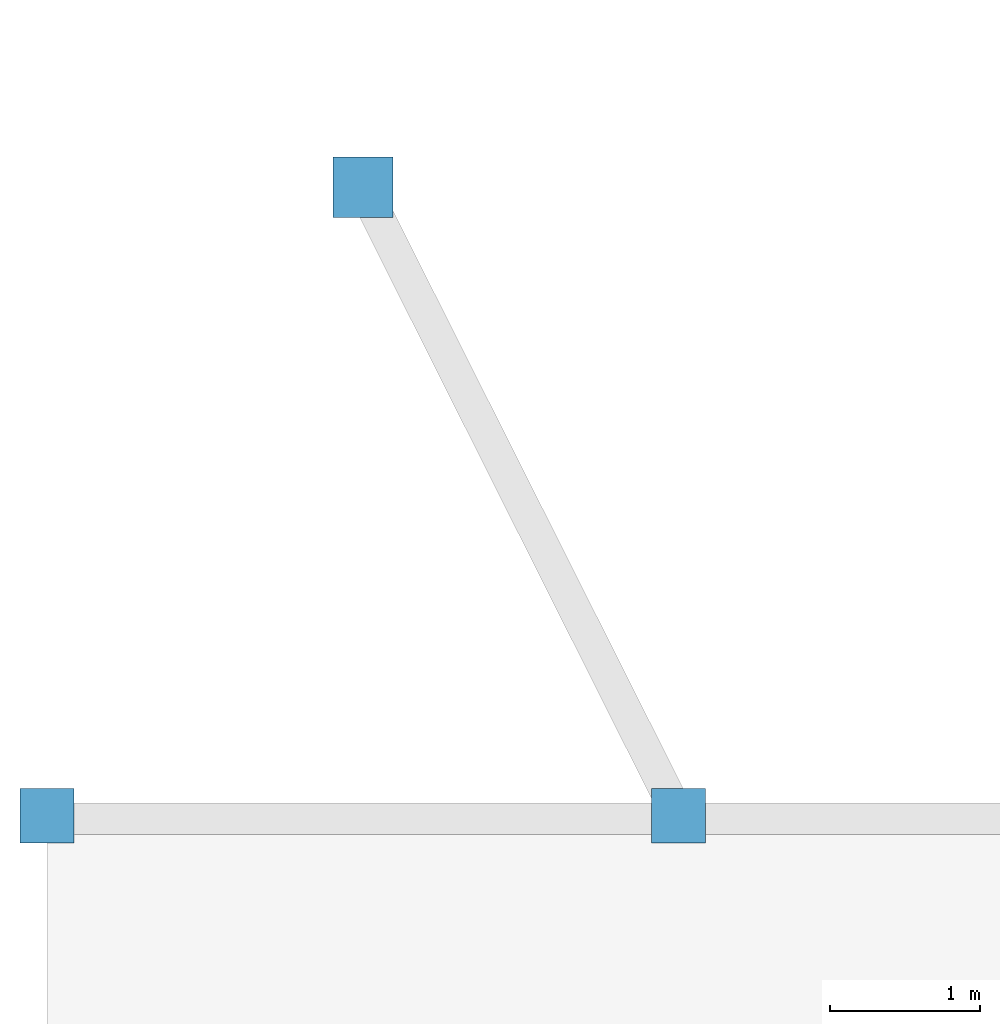
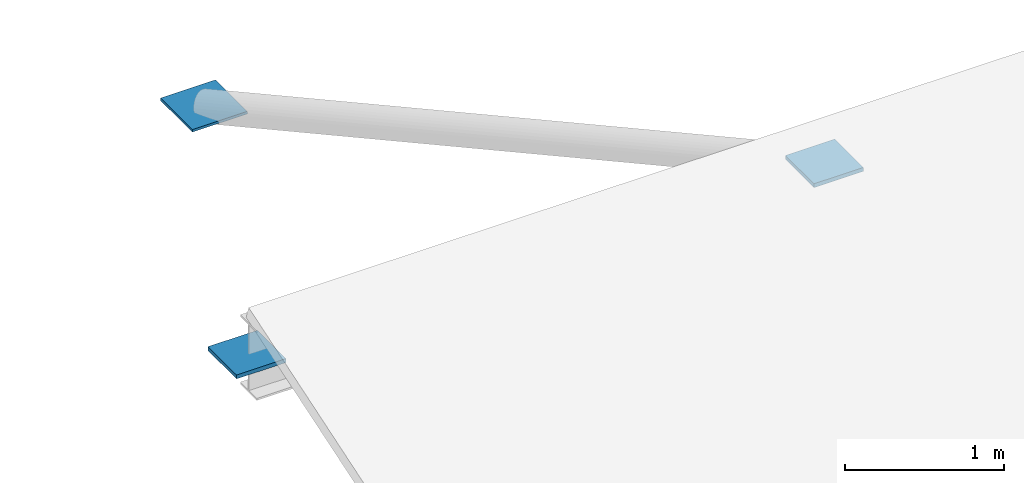
# One storey, part 67 of 91: 3 discrete accessories.
"""IFC4 building model written with IfcOpenShell, lengths in metres."""

from ifc_helpers import new_model, si_unit, direction, frame, origin, origin_2d, place, context, subcontext, project, spatial, rectangle, extrude, material, type_object, element, save


model = new_model("IFC4")

# Units and contexts
model_context = context("Model", 3, precision=1e-05, world=origin(), true_north=direction((0.0, 1.0)))
body_context = subcontext(model_context, "Body", "Model", "MODEL_VIEW")
ifc_project = project(units=[si_unit("LENGTHUNIT", "METRE"), si_unit("AREAUNIT", "SQUARE_METRE"), si_unit("VOLUMEUNIT", "CUBIC_METRE"), si_unit("PLANEANGLEUNIT", "RADIAN"), si_unit("MASSUNIT", "GRAM", prefix="KILO")], contexts=[model_context])

# Site, building, storey
site_placement = place(None, origin())
site = spatial("IfcSite", under=ifc_project, at=site_placement, CompositionType="ELEMENT")
building_placement = place(site_placement, origin())
building = spatial("IfcBuilding", under=site, at=building_placement, Name="Almond Square Museum", CompositionType="ELEMENT")
storey_placement = place(building_placement, frame((0.0, 0.0, 30.0)))
storey = spatial("IfcBuildingStorey", under=building, at=storey_placement, Name="L05", CompositionType="ELEMENT", Elevation=30.0)

# Discrete accessories
ifc_material_1 = material(Name="Structural steel S355", Category="steel")
discrete_accessory_type_1 = type_object("IfcDiscreteAccessoryType", Name="Brace crossing plate", PredefinedType="BRACKET", material=ifc_material_1)
discrete_accessory_placement = place(storey_placement, frame((8.10009765625, 12.60009765625, 0.986572265625), z_axis=(0.0, 0.0, 1.0), x_axis=(1.0, 0.0, 0.0)))
element("IfcDiscreteAccessory", 1, at=discrete_accessory_placement, inside=storey, type_object=discrete_accessory_type_1, Name="Brace crossing plate", PredefinedType="BRACKET", context=body_context, shape_type="SweptSolid", body=[
    extrude(rectangle(XDim=0.39990234375, YDim=0.39990234375, at=origin_2d()), origin(), (0.0, 0.0, 1.0), 0.02001953125),
])
ifc_material_2 = material(Name="Structural steel S355", Category="steel")
discrete_accessory_type_2 = type_object("IfcDiscreteAccessoryType", Name="Brace end plate", PredefinedType="BRACKET", material=ifc_material_2)
for number, where, z_axis, x_axis, name in (
    (2, (6.0, 8.419921875, 2.33984375), (0.0, 0.0, 1.0), (1.0, 0.0, 0.0), "Brace end plate"),
    (3, (10.199951171875, 8.419921875, 2.33984375), (0.0, 0.0, 1.0), (1.0, 0.0, 0.0), "Brace end plate"),
):
    element("IfcDiscreteAccessory", number, at=place(storey_placement, frame(where, z_axis=z_axis, x_axis=x_axis)), inside=storey, type_object=discrete_accessory_type_2, Name=name, PredefinedType="BRACKET", context=body_context, shape_type="SweptSolid", body=[
        extrude(rectangle(XDim=0.360107421875, YDim=0.360107421875, at=origin_2d()), origin(), (0.0, 0.0, 1.0), 0.030029296875),
    ])

save(model, "model.ifc")
